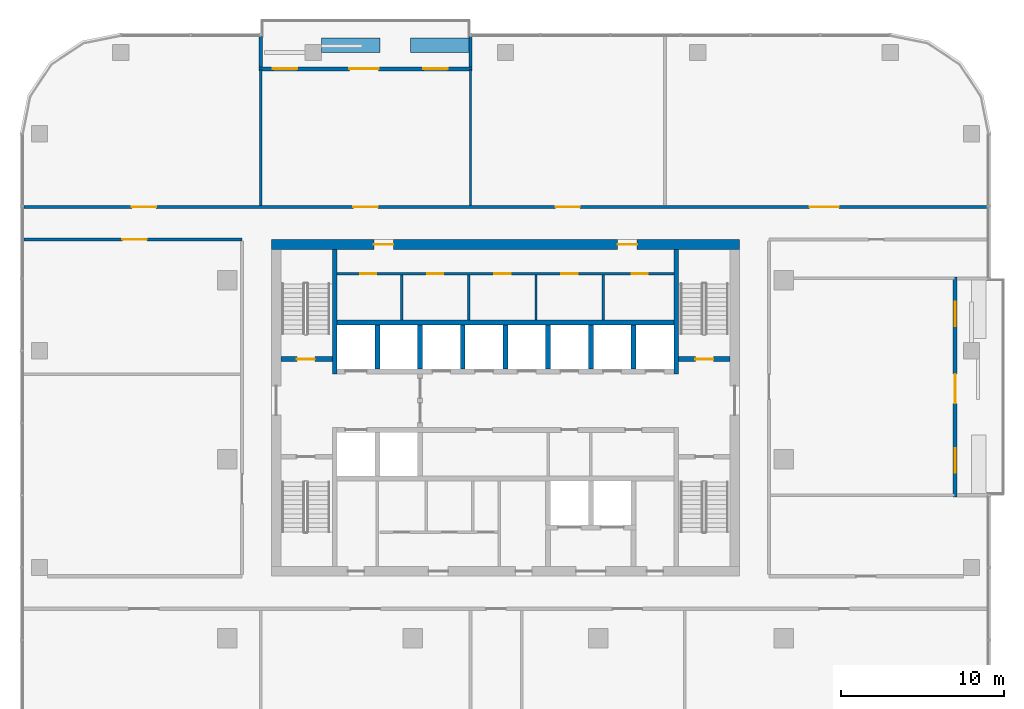
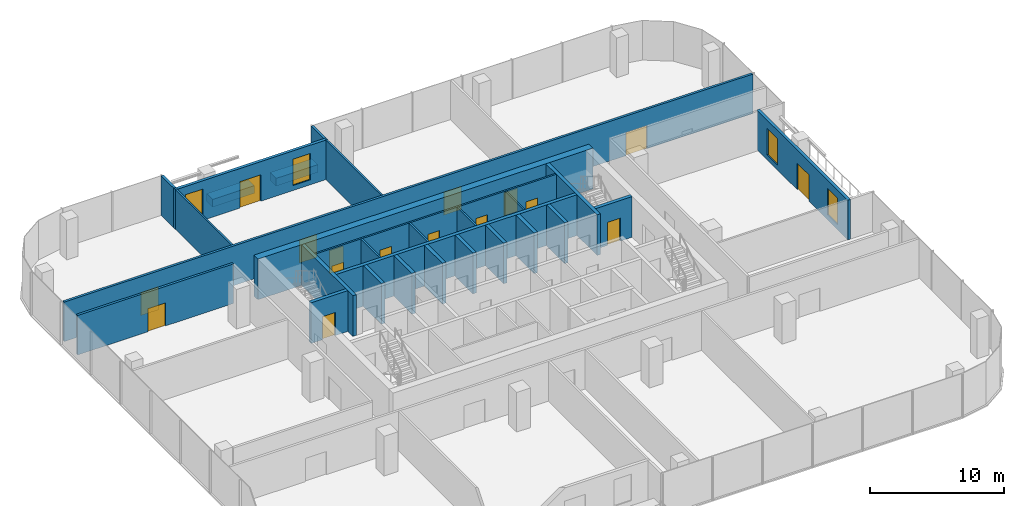
# One storey, part 9 of 13: 28 walls, 16 doors, 4 windows, 20 openings.
"""IFC4 building model written with IfcOpenShell, lengths in metres."""

from ifc_helpers import new_model, si_unit, direction, frame, frame_2d, origin, place, context, subcontext, project, spatial, rectangle, extrude, material, layer, layer_set, type_object, element, fill, save


model = new_model("IFC4")

# Units and contexts
model_context = context("Model", 3, precision=1e-05, world=origin(), true_north=direction((0.0, 1.0)))
body_context = subcontext(model_context, "Body", "Model", "MODEL_VIEW")
ifc_project = project(units=[si_unit("LENGTHUNIT", "METRE"), si_unit("AREAUNIT", "SQUARE_METRE"), si_unit("VOLUMEUNIT", "CUBIC_METRE"), si_unit("PLANEANGLEUNIT", "RADIAN"), si_unit("MASSUNIT", "GRAM", prefix="KILO")], contexts=[model_context])

# Site, building, storey
site_placement = place(None, origin())
site = spatial("IfcSite", under=ifc_project, at=site_placement, CompositionType="ELEMENT")
building_placement = place(site_placement, origin())
building = spatial("IfcBuilding", under=site, at=building_placement, Name="Mopane Tessera Tower", CompositionType="ELEMENT")
storey_placement = place(building_placement, frame((0.0, 0.0, 299.39990234375)))
storey = spatial("IfcBuildingStorey", under=building, at=storey_placement, Name="L65", CompositionType="ELEMENT", Elevation=299.39990234375)

# Walls
ifc_material_1 = material(Name="Fire-rated gypsum board partition")
ifc_layer_1 = layer(ifc_material_1, 0.14990234375)
ifc_layer_set_1 = layer_set([ifc_layer_1], Name="Fire-rated gypsum board partition")
wall_type_1 = type_object("IfcWallType", Name="Core room partition 150 mm", PredefinedType="PARTITIONING", material=ifc_layer_set_1)
for number, where, z_axis, x_axis, name in (
    (1, (-6.375, 8.550048828125, 0.0), (0.0, 0.0, 1.0), (0.0, 1.0, 0.0), "L65 Room partition"),
    (2, (-2.25, 8.550048828125, 0.0), (0.0, 0.0, 1.0), (0.0, 1.0, 0.0), "L65 Room partition"),
    (3, (1.875, 8.550048828125, 0.0), (0.0, 0.0, 1.0), (0.0, 1.0, 0.0), "L65 Room partition"),
    (4, (6.0, 8.550048828125, 0.0), (0.0, 0.0, 1.0), (0.0, 1.0, 0.0), "L65 Room partition"),
):
    element("IfcWall", number, at=place(storey_placement, frame(where, z_axis=z_axis, x_axis=x_axis)), inside=storey, type_object=wall_type_1, Name=name, PredefinedType="PARTITIONING", context=body_context, shape_type="SweptSolid", body=[
        extrude(rectangle(XDim=2.77490234375, YDim=0.14990234375, at=frame_2d((1.387451171875, 0.0))), origin(), (0.0, 0.0, 1.0), 3.7001953125),
    ])

# Wall, openings, doors
wall_1_placement = place(storey_placement, frame((-10.35009765625, 11.39990234375, 0.0), z_axis=(0.0, 0.0, 1.0), x_axis=(1.0, 0.0, 0.0)))
wall_1 = element("IfcWall", 5, at=wall_1_placement, inside=storey, type_object=wall_type_1, Name="L65 Corridor wall", PredefinedType="PARTITIONING", context=body_context, shape_type="SweptSolid", body=[
    extrude(rectangle(XDim=20.7001953125, YDim=0.14990234375, at=frame_2d((10.35009765625, 0.0))), origin(), (0.0, 0.0, 1.0), 3.7001953125),
])
opening_1_placement = place(wall_1_placement, frame((1.41259765625, 0.0, 0.0)))
opening_1 = element("IfcOpeningElement", 6, at=opening_1_placement, cuts=wall_1, Name="Opening RD1", PredefinedType="OPENING", context=body_context, shape_type="SweptSolid", body=[
    extrude(rectangle(XDim=1.0, YDim=2.10009765625, at=frame_2d((0.5, 1.050048828125))), frame((0.0, 0.0869140625, 0.0), z_axis=(0.0, -1.0, 0.0), x_axis=(1.0, 0.0, 0.0)), (0.0, 0.0, 1.0), 0.173828125),
])
opening_2_placement = place(wall_1_placement, frame((5.53759765625, 0.0, 0.0)))
opening_2 = element("IfcOpeningElement", 7, at=opening_2_placement, cuts=wall_1, Name="Opening RD1", PredefinedType="OPENING", context=body_context, shape_type="SweptSolid", body=[
    extrude(rectangle(XDim=1.0, YDim=2.10009765625, at=frame_2d((0.5, 1.050048828125))), frame((0.0, 0.0869140625, 0.0), z_axis=(0.0, -1.0, 0.0), x_axis=(1.0, 0.0, 0.0)), (0.0, 0.0, 1.0), 0.173828125),
])
opening_3_placement = place(wall_1_placement, frame((9.66259765625, 0.0, 0.0)))
opening_3 = element("IfcOpeningElement", 8, at=opening_3_placement, cuts=wall_1, Name="Opening RD1", PredefinedType="OPENING", context=body_context, shape_type="SweptSolid", body=[
    extrude(rectangle(XDim=1.0, YDim=2.10009765625, at=frame_2d((0.5, 1.050048828125))), frame((0.0, 0.0869140625, 0.0), z_axis=(0.0, -1.0, 0.0), x_axis=(1.0, 0.0, 0.0)), (0.0, 0.0, 1.0), 0.173828125),
])
opening_4_placement = place(wall_1_placement, frame((13.78759765625, 0.0, 0.0)))
opening_4 = element("IfcOpeningElement", 9, at=opening_4_placement, cuts=wall_1, Name="Opening RD1", PredefinedType="OPENING", context=body_context, shape_type="SweptSolid", body=[
    extrude(rectangle(XDim=1.0, YDim=2.10009765625, at=frame_2d((0.5, 1.050048828125))), frame((0.0, 0.0869140625, 0.0), z_axis=(0.0, -1.0, 0.0), x_axis=(1.0, 0.0, 0.0)), (0.0, 0.0, 1.0), 0.173828125),
])
opening_5_placement = place(wall_1_placement, frame((18.10009765625, 0.0, 0.0)))
opening_5 = element("IfcOpeningElement", 10, at=opening_5_placement, cuts=wall_1, Name="Opening RD1", PredefinedType="OPENING", context=body_context, shape_type="SweptSolid", body=[
    extrude(rectangle(XDim=1.0, YDim=2.10009765625, at=frame_2d((0.5, 1.050048828125))), frame((0.0, 0.0869140625, 0.0), z_axis=(0.0, -1.0, 0.0), x_axis=(1.0, 0.0, 0.0)), (0.0, 0.0, 1.0), 0.173828125),
])
ifc_material_2 = material(Name="Timber door", Category="wood")
door_type_1 = type_object("IfcDoorType", Name="Core room door 1000 x 2100", OperationType="SINGLE_SWING_LEFT", PredefinedType="DOOR", material=ifc_material_2)
door_1_placement = place(opening_1_placement, origin())
door_1 = element("IfcDoor", 11, at=door_1_placement, inside=storey, type_object=door_type_1, Name="L65 Room door", OperationType="SINGLE_SWING_LEFT", OverallHeight=2.10009765625, OverallWidth=1.0, PredefinedType="DOOR", context=body_context, shape_type="SweptSolid", body=[
    extrude(rectangle(XDim=1.0, YDim=2.10009765625, at=frame_2d((0.5, 1.050048828125))), frame((0.0, 0.02490234375, 0.0), z_axis=(0.0, -1.0, 0.0), x_axis=(1.0, 0.0, 0.0)), (0.0, 0.0, 1.0), 0.050048828125),
])
fill(opening_1, door_1)
door_2_placement = place(opening_2_placement, origin())
door_2 = element("IfcDoor", 12, at=door_2_placement, inside=storey, type_object=door_type_1, Name="L65 Room door", OperationType="SINGLE_SWING_LEFT", OverallHeight=2.10009765625, OverallWidth=1.0, PredefinedType="DOOR", context=body_context, shape_type="SweptSolid", body=[
    extrude(rectangle(XDim=1.0, YDim=2.10009765625, at=frame_2d((0.5, 1.050048828125))), frame((0.0, 0.02490234375, 0.0), z_axis=(0.0, -1.0, 0.0), x_axis=(1.0, 0.0, 0.0)), (0.0, 0.0, 1.0), 0.050048828125),
])
fill(opening_2, door_2)
door_3_placement = place(opening_3_placement, origin())
door_3 = element("IfcDoor", 13, at=door_3_placement, inside=storey, type_object=door_type_1, Name="L65 Room door", OperationType="SINGLE_SWING_LEFT", OverallHeight=2.10009765625, OverallWidth=1.0, PredefinedType="DOOR", context=body_context, shape_type="SweptSolid", body=[
    extrude(rectangle(XDim=1.0, YDim=2.10009765625, at=frame_2d((0.5, 1.050048828125))), frame((0.0, 0.02490234375, 0.0), z_axis=(0.0, -1.0, 0.0), x_axis=(1.0, 0.0, 0.0)), (0.0, 0.0, 1.0), 0.050048828125),
])
fill(opening_3, door_3)
door_4_placement = place(opening_4_placement, origin())
door_4 = element("IfcDoor", 14, at=door_4_placement, inside=storey, type_object=door_type_1, Name="L65 Room door", OperationType="SINGLE_SWING_LEFT", OverallHeight=2.10009765625, OverallWidth=1.0, PredefinedType="DOOR", context=body_context, shape_type="SweptSolid", body=[
    extrude(rectangle(XDim=1.0, YDim=2.10009765625, at=frame_2d((0.5, 1.050048828125))), frame((0.0, 0.02490234375, 0.0), z_axis=(0.0, -1.0, 0.0), x_axis=(1.0, 0.0, 0.0)), (0.0, 0.0, 1.0), 0.050048828125),
])
fill(opening_4, door_4)
door_5_placement = place(opening_5_placement, origin())
door_5 = element("IfcDoor", 15, at=door_5_placement, inside=storey, type_object=door_type_1, Name="L65 Room door", OperationType="SINGLE_SWING_LEFT", OverallHeight=2.10009765625, OverallWidth=1.0, PredefinedType="DOOR", context=body_context, shape_type="SweptSolid", body=[
    extrude(rectangle(XDim=1.0, YDim=2.10009765625, at=frame_2d((0.5, 1.050048828125))), frame((0.0, 0.02490234375, 0.0), z_axis=(0.0, -1.0, 0.0), x_axis=(1.0, 0.0, 0.0)), (0.0, 0.0, 1.0), 0.050048828125),
])
fill(opening_5, door_5)

ifc_material_3 = material(Name="Concrete C70/85", Category="concrete")
ifc_layer_2 = layer(ifc_material_3, 0.60009765625)
ifc_layer_set_2 = layer_set([ifc_layer_2], Name="Concrete C70/85")
wall_type_2 = type_object("IfcWallType", Name="Core shear wall 600 mm", PredefinedType="SHEAR", material=ifc_layer_set_2)
wall_2_placement = place(storey_placement, frame((-14.39990234375, 13.199951171875, 0.0), z_axis=(0.0, 0.0, 1.0), x_axis=(1.0, 0.0, 0.0)))
wall_2 = element("IfcWall", 16, at=wall_2_placement, inside=storey, type_object=wall_type_2, Name="L65 Core wall north", PredefinedType="SHEAR", context=body_context, shape_type="SweptSolid", body=[
    extrude(rectangle(XDim=28.7998046875, YDim=0.60009765625, at=frame_2d((14.39990234375, 0.0))), origin(), (0.0, 0.0, 1.0), 3.7001953125),
])
opening_6_placement = place(wall_2_placement, frame((6.300048828125, 0.0, 0.0)))
opening_6 = element("IfcOpeningElement", 17, at=opening_6_placement, cuts=wall_2, Name="Opening RD2", PredefinedType="OPENING", context=body_context, shape_type="SweptSolid", body=[
    extrude(rectangle(XDim=1.199951171875, YDim=2.10009765625, at=frame_2d((0.60009765625, 1.050048828125))), frame((0.0, 0.31201171875, 0.0), z_axis=(0.0, -1.0, 0.0), x_axis=(1.0, 0.0, 0.0)), (0.0, 0.0, 1.0), 0.6240234375),
])
opening_7_placement = place(wall_2_placement, frame((21.300048828125, 0.0, 0.0)))
opening_7 = element("IfcOpeningElement", 18, at=opening_7_placement, cuts=wall_2, Name="Opening RD2", PredefinedType="OPENING", context=body_context, shape_type="SweptSolid", body=[
    extrude(rectangle(XDim=1.199951171875, YDim=2.10009765625, at=frame_2d((0.60009765625, 1.050048828125))), frame((0.0, 0.31201171875, 0.0), z_axis=(0.0, -1.0, 0.0), x_axis=(1.0, 0.0, 0.0)), (0.0, 0.0, 1.0), 0.6240234375),
])
ifc_material_4 = material(Name="Timber door", Category="wood")
door_type_2 = type_object("IfcDoorType", Name="Core corridor door 1200 x 2100", OperationType="SINGLE_SWING_LEFT", PredefinedType="DOOR", material=ifc_material_4)
door_6_placement = place(opening_6_placement, origin())
door_6 = element("IfcDoor", 19, at=door_6_placement, inside=storey, type_object=door_type_2, Name="L65 Corridor door", OperationType="SINGLE_SWING_LEFT", OverallHeight=2.10009765625, OverallWidth=1.199951171875, PredefinedType="DOOR", context=body_context, shape_type="SweptSolid", body=[
    extrude(rectangle(XDim=1.199951171875, YDim=2.10009765625, at=frame_2d((0.60009765625, 1.050048828125))), frame((0.0, 0.02490234375, 0.0), z_axis=(0.0, -1.0, 0.0), x_axis=(1.0, 0.0, 0.0)), (0.0, 0.0, 1.0), 0.050048828125),
])
fill(opening_6, door_6)
door_7_placement = place(opening_7_placement, origin())
door_7 = element("IfcDoor", 20, at=door_7_placement, inside=storey, type_object=door_type_2, Name="L65 Corridor door", OperationType="SINGLE_SWING_RIGHT", OverallHeight=2.10009765625, OverallWidth=1.199951171875, PredefinedType="DOOR", context=body_context, shape_type="SweptSolid", body=[
    extrude(rectangle(XDim=1.199951171875, YDim=2.10009765625, at=frame_2d((0.60009765625, 1.050048828125))), frame((0.0, 0.02490234375, 0.0), z_axis=(0.0, -1.0, 0.0), x_axis=(1.0, 0.0, 0.0)), (0.0, 0.0, 1.0), 0.050048828125),
])
fill(opening_7, door_7)

# Walls
ifc_material_5 = material(Name="Concrete C60/75", Category="concrete")
ifc_layer_3 = layer(ifc_material_5, 0.300048828125)
ifc_layer_set_3 = layer_set([ifc_layer_3], Name="Concrete C60/75")
wall_type_3 = type_object("IfcWallType", Name="Core spine wall 300 mm", PredefinedType="SHEAR", material=ifc_layer_set_3)
for number, where, z_axis, x_axis, name in (
    (21, (-10.5, 5.25, 0.0), (0.0, 0.0, 1.0), (0.0, 1.0, 0.0), "L65 Core spine wall"),
    (22, (10.5, 5.25, 0.0), (0.0, 0.0, 1.0), (0.0, 1.0, 0.0), "L65 Core spine wall"),
):
    element("IfcWall", number, at=place(storey_placement, frame(where, z_axis=z_axis, x_axis=x_axis)), inside=storey, type_object=wall_type_3, Name=name, PredefinedType="SHEAR", context=body_context, shape_type="SweptSolid", body=[
        extrude(rectangle(XDim=7.64990234375, YDim=0.300048828125, at=frame_2d((3.824951171875, 0.0))), origin(), (0.0, 0.0, 1.0), 3.7001953125),
    ])

# Wall, opening, door
ifc_material_6 = material(Name="Gypsum board on steel studs, two layers each face, mineral wool infill", Category="steel")
ifc_layer_4 = layer(ifc_material_6, 0.199951171875)
ifc_layer_set_4 = layer_set([ifc_layer_4], Name="Gypsum board on steel studs, two layers each face, mineral wool infill")
wall_type_4 = type_object("IfcWallType", Name="Gypsum board corridor wall 200, rated EI 60", PredefinedType="PARTITIONING", material=ifc_layer_set_4)
wall_3_placement = place(storey_placement, frame((-29.60009765625, 13.5, 0.0), z_axis=(0.0, 0.0, 1.0), x_axis=(1.0, 0.0, 0.0)))
wall_3 = element("IfcWall", 23, at=wall_3_placement, inside=storey, type_object=wall_type_4, Name="Partition L65:006", PredefinedType="PARTITIONING", context=body_context, shape_type="SweptSolid", body=[
    extrude(rectangle(XDim=13.400146484375, YDim=0.199951171875, at=frame_2d((6.7001953125, 0.0))), origin(), (0.0, 0.0, 1.0), 3.60009765625),
])
opening_8_placement = place(wall_3_placement, frame((6.050048828125, 0.0, 0.0)))
opening_8 = element("IfcOpeningElement", 24, at=opening_8_placement, cuts=wall_3, Name="Opening L65-05", PredefinedType="OPENING", context=body_context, shape_type="SweptSolid", body=[
    extrude(rectangle(XDim=1.5, YDim=2.10009765625, at=frame_2d((0.75, 1.050048828125))), frame((0.0, 0.112060546875, 0.0), z_axis=(0.0, -1.0, 0.0), x_axis=(1.0, 0.0, 0.0)), (0.0, 0.0, 1.0), 0.223876953125),
])
ifc_material_7 = material(Name="Timber veneered steel-framed fire door", Category="steel")
door_type_3 = type_object("IfcDoorType", Name="Fire door pair FD60 1500 x 2100", OperationType="DOUBLE_DOOR_SINGLE_SWING", PredefinedType="DOOR", material=ifc_material_7)
door_8_placement = place(opening_8_placement, origin())
door_8 = element("IfcDoor", 25, at=door_8_placement, inside=storey, type_object=door_type_3, Name="Door L65-05", ObjectType="D17A", OperationType="DOUBLE_DOOR_SINGLE_SWING", OverallHeight=2.10009765625, OverallWidth=1.5, PredefinedType="DOOR", context=body_context, shape_type="SweptSolid", body=[
    extrude(rectangle(XDim=1.5, YDim=2.10009765625, at=frame_2d((0.75, 1.050048828125))), frame((0.0, 0.02490234375, 0.0), z_axis=(0.0, -1.0, 0.0), x_axis=(1.0, 0.0, 0.0)), (0.0, 0.0, 1.0), 0.050048828125),
])
fill(opening_8, door_8)

# Wall, openings, doors
wall_4_placement = place(storey_placement, frame((-29.60009765625, 15.5, 0.0), z_axis=(0.0, 0.0, 1.0), x_axis=(1.0, 0.0, 0.0)))
wall_4 = element("IfcWall", 26, at=wall_4_placement, inside=storey, type_object=wall_type_4, Name="Partition L65:008", PredefinedType="PARTITIONING", context=body_context, shape_type="SweptSolid", body=[
    extrude(rectangle(XDim=59.2001953125, YDim=0.199951171875, at=frame_2d((29.60009765625, 0.0))), origin(), (0.0, 0.0, 1.0), 3.60009765625),
])
opening_9_placement = place(wall_4_placement, frame((48.300048828125, 0.0, 0.0)))
opening_9 = element("IfcOpeningElement", 27, at=opening_9_placement, cuts=wall_4, Name="Opening L65-01", PredefinedType="OPENING", context=body_context, shape_type="SweptSolid", body=[
    extrude(rectangle(XDim=1.800048828125, YDim=2.10009765625, at=frame_2d((0.89990234375, 1.050048828125))), frame((0.0, 0.112060546875, 0.0), z_axis=(0.0, -1.0, 0.0), x_axis=(1.0, 0.0, 0.0)), (0.0, 0.0, 1.0), 0.223876953125),
])
opening_10_placement = place(wall_4_placement, frame((32.675048828125, 0.0, 0.0)))
opening_10 = element("IfcOpeningElement", 28, at=opening_10_placement, cuts=wall_4, Name="Opening L65-02", PredefinedType="OPENING", context=body_context, shape_type="SweptSolid", body=[
    extrude(rectangle(XDim=1.5, YDim=2.10009765625, at=frame_2d((0.75, 1.050048828125))), frame((0.0, 0.112060546875, 0.0), z_axis=(0.0, -1.0, 0.0), x_axis=(1.0, 0.0, 0.0)), (0.0, 0.0, 1.0), 0.223876953125),
])
opening_11_placement = place(wall_4_placement, frame((6.625, 0.0, 0.0)))
opening_11 = element("IfcOpeningElement", 29, at=opening_11_placement, cuts=wall_4, Name="Opening L65-06", PredefinedType="OPENING", context=body_context, shape_type="SweptSolid", body=[
    extrude(rectangle(XDim=1.5, YDim=2.10009765625, at=frame_2d((0.75, 1.050048828125))), frame((0.0, 0.112060546875, 0.0), z_axis=(0.0, -1.0, 0.0), x_axis=(1.0, 0.0, 0.0)), (0.0, 0.0, 1.0), 0.223876953125),
])
opening_12_placement = place(wall_4_placement, frame((20.25, 0.0, 0.0)))
opening_12 = element("IfcOpeningElement", 30, at=opening_12_placement, cuts=wall_4, Name="Opening L65-10", PredefinedType="OPENING", context=body_context, shape_type="SweptSolid", body=[
    extrude(rectangle(XDim=1.5, YDim=2.10009765625, at=frame_2d((0.75, 1.050048828125))), frame((0.0, 0.112060546875, 0.0), z_axis=(0.0, -1.0, 0.0), x_axis=(1.0, 0.0, 0.0)), (0.0, 0.0, 1.0), 0.223876953125),
])
door_9_placement = place(opening_10_placement, origin())
door_9 = element("IfcDoor", 31, at=door_9_placement, inside=storey, type_object=door_type_3, Name="Door L65-02", ObjectType="D17A", OperationType="DOUBLE_DOOR_SINGLE_SWING", OverallHeight=2.10009765625, OverallWidth=1.5, PredefinedType="DOOR", context=body_context, shape_type="SweptSolid", body=[
    extrude(rectangle(XDim=1.5, YDim=2.10009765625, at=frame_2d((0.75, 1.050048828125))), frame((0.0, 0.02490234375, 0.0), z_axis=(0.0, -1.0, 0.0), x_axis=(1.0, 0.0, 0.0)), (0.0, 0.0, 1.0), 0.050048828125),
])
fill(opening_10, door_9)
door_10_placement = place(opening_11_placement, origin())
door_10 = element("IfcDoor", 32, at=door_10_placement, inside=storey, type_object=door_type_3, Name="Door L65-06", ObjectType="D17A", OperationType="DOUBLE_DOOR_SINGLE_SWING", OverallHeight=2.10009765625, OverallWidth=1.5, PredefinedType="DOOR", context=body_context, shape_type="SweptSolid", body=[
    extrude(rectangle(XDim=1.5, YDim=2.10009765625, at=frame_2d((0.75, 1.050048828125))), frame((0.0, 0.02490234375, 0.0), z_axis=(0.0, -1.0, 0.0), x_axis=(1.0, 0.0, 0.0)), (0.0, 0.0, 1.0), 0.050048828125),
])
fill(opening_11, door_10)
door_11_placement = place(opening_12_placement, origin())
door_11 = element("IfcDoor", 33, at=door_11_placement, inside=storey, type_object=door_type_3, Name="Door L65-10", ObjectType="D17A", OperationType="DOUBLE_DOOR_SINGLE_SWING", OverallHeight=2.10009765625, OverallWidth=1.5, PredefinedType="DOOR", context=body_context, shape_type="SweptSolid", body=[
    extrude(rectangle(XDim=1.5, YDim=2.10009765625, at=frame_2d((0.75, 1.050048828125))), frame((0.0, 0.02490234375, 0.0), z_axis=(0.0, -1.0, 0.0), x_axis=(1.0, 0.0, 0.0)), (0.0, 0.0, 1.0), 0.050048828125),
])
fill(opening_12, door_11)
ifc_material_8 = material(Name="Timber veneered steel-framed fire door", Category="steel")
door_type_4 = type_object("IfcDoorType", Name="Fire door pair FD60 1800 x 2100", OperationType="DOUBLE_DOOR_SINGLE_SWING", PredefinedType="DOOR", material=ifc_material_8)
door_12_placement = place(opening_9_placement, origin())
door_12 = element("IfcDoor", 34, at=door_12_placement, inside=storey, type_object=door_type_4, Name="Door L65-01", ObjectType="D20A", OperationType="DOUBLE_DOOR_SINGLE_SWING", OverallHeight=2.10009765625, OverallWidth=1.800048828125, PredefinedType="DOOR", context=body_context, shape_type="SweptSolid", body=[
    extrude(rectangle(XDim=1.800048828125, YDim=2.10009765625, at=frame_2d((0.89990234375, 1.050048828125))), frame((0.0, 0.02490234375, 0.0), z_axis=(0.0, -1.0, 0.0), x_axis=(1.0, 0.0, 0.0)), (0.0, 0.0, 1.0), 0.050048828125),
])
fill(opening_9, door_12)

# Walls
ifc_material_9 = material(Name="Gypsum board on steel studs, mineral wool infill", Category="steel")
ifc_layer_5 = layer(ifc_material_9, 0.14990234375)
ifc_layer_set_5 = layer_set([ifc_layer_5], Name="Gypsum board on steel studs, mineral wool infill")
wall_type_5 = type_object("IfcWallType", Name="Gypsum board partition 150, rated EI 60", PredefinedType="PARTITIONING", material=ifc_layer_set_5)
for number, where, z_axis, x_axis, name in (
    (35, (-15.050048828125, 15.60009765625, 0.0), (0.0, 0.0, 1.0), (0.0, 1.0, 0.0), "Partition L65:010"),
    (36, (-2.14990234375, 15.60009765625, 0.0), (0.0, 0.0, 1.0), (0.0, 1.0, 0.0), "Partition L65:012"),
):
    element("IfcWall", number, at=place(storey_placement, frame(where, z_axis=z_axis, x_axis=x_axis)), inside=storey, type_object=wall_type_5, Name=name, PredefinedType="PARTITIONING", context=body_context, shape_type="SweptSolid", body=[
        extrude(rectangle(XDim=8.349853515625, YDim=0.14990234375, at=frame_2d((4.1748046875, 0.0))), origin(), (0.0, 0.0, 1.0), 3.60009765625),
    ])

# Wall, opening, door
ifc_material_10 = material(Name="Concrete C50/60", Category="concrete")
ifc_layer_6 = layer(ifc_material_10, 0.300048828125)
ifc_layer_set_6 = layer_set([ifc_layer_6], Name="Concrete C50/60")
wall_type_6 = type_object("IfcWallType", Name="Lift and stair shaft wall 300 mm", PredefinedType="SOLIDWALL", material=ifc_layer_set_6)
wall_5_placement = place(storey_placement, frame((-13.800048828125, 6.14990234375, 0.0), z_axis=(0.0, 0.0, 1.0), x_axis=(1.0, 0.0, 0.0)))
wall_5 = element("IfcWall", 37, at=wall_5_placement, inside=storey, type_object=wall_type_6, Name="L65 Stair enclosure wall", PredefinedType="SOLIDWALL", context=body_context, shape_type="SweptSolid", body=[
    extrude(rectangle(XDim=3.150146484375, YDim=0.300048828125, at=frame_2d((1.5751953125, 0.0))), origin(), (0.0, 0.0, 1.0), 3.7001953125),
])
opening_13_placement = place(wall_5_placement, frame((0.97509765625, 0.0, 0.0)))
opening_13 = element("IfcOpeningElement", 38, at=opening_13_placement, cuts=wall_5, Name="Opening SD1", PredefinedType="OPENING", context=body_context, shape_type="SweptSolid", body=[
    extrude(rectangle(XDim=1.10009765625, YDim=2.10009765625, at=frame_2d((0.550048828125, 1.050048828125))), frame((0.0, 0.162109375, 0.0), z_axis=(0.0, -1.0, 0.0), x_axis=(1.0, 0.0, 0.0)), (0.0, 0.0, 1.0), 0.323974609375),
])
ifc_material_11 = material(Name="Steel fire door", Category="steel")
door_type_5 = type_object("IfcDoorType", Name="Stair fire door 1100 x 2100", OperationType="SINGLE_SWING_LEFT", PredefinedType="DOOR", material=ifc_material_11)
door_13_placement = place(opening_13_placement, origin())
door_13 = element("IfcDoor", 39, at=door_13_placement, inside=storey, type_object=door_type_5, Name="L65 Stair door ST2", OperationType="SINGLE_SWING_LEFT", OverallHeight=2.10009765625, OverallWidth=1.10009765625, PredefinedType="DOOR", context=body_context, shape_type="SweptSolid", body=[
    extrude(rectangle(XDim=1.10009765625, YDim=2.10009765625, at=frame_2d((0.550048828125, 1.050048828125))), frame((0.0, 0.02490234375, 0.0), z_axis=(0.0, -1.0, 0.0), x_axis=(1.0, 0.0, 0.0)), (0.0, 0.0, 1.0), 0.050048828125),
])
fill(opening_13, door_13)

wall_6_placement = place(storey_placement, frame((10.64990234375, 6.14990234375, 0.0), z_axis=(0.0, 0.0, 1.0), x_axis=(1.0, 0.0, 0.0)))
wall_6 = element("IfcWall", 40, at=wall_6_placement, inside=storey, type_object=wall_type_6, Name="L65 Stair enclosure wall", PredefinedType="SOLIDWALL", context=body_context, shape_type="SweptSolid", body=[
    extrude(rectangle(XDim=3.150146484375, YDim=0.300048828125, at=frame_2d((1.5751953125, 0.0))), origin(), (0.0, 0.0, 1.0), 3.7001953125),
])
opening_14_placement = place(wall_6_placement, frame((1.02490234375, 0.0, 0.0)))
opening_14 = element("IfcOpeningElement", 41, at=opening_14_placement, cuts=wall_6, Name="Opening SD1", PredefinedType="OPENING", context=body_context, shape_type="SweptSolid", body=[
    extrude(rectangle(XDim=1.10009765625, YDim=2.10009765625, at=frame_2d((0.550048828125, 1.050048828125))), frame((0.0, 0.162109375, 0.0), z_axis=(0.0, -1.0, 0.0), x_axis=(1.0, 0.0, 0.0)), (0.0, 0.0, 1.0), 0.323974609375),
])
door_14_placement = place(opening_14_placement, origin())
door_14 = element("IfcDoor", 42, at=door_14_placement, inside=storey, type_object=door_type_5, Name="L65 Stair door ST4", OperationType="SINGLE_SWING_RIGHT", OverallHeight=2.10009765625, OverallWidth=1.10009765625, PredefinedType="DOOR", context=body_context, shape_type="SweptSolid", body=[
    extrude(rectangle(XDim=1.10009765625, YDim=2.10009765625, at=frame_2d((0.550048828125, 1.050048828125))), frame((0.0, 0.02490234375, 0.0), z_axis=(0.0, -1.0, 0.0), x_axis=(1.0, 0.0, 0.0)), (0.0, 0.0, 1.0), 0.050048828125),
])
fill(opening_14, door_14)

# Walls
wall_7_placement = place(storey_placement, frame((-10.35009765625, 8.39990234375, 0.0), z_axis=(0.0, 0.0, 1.0), x_axis=(1.0, 0.0, 0.0)))
element("IfcWall", 43, at=wall_7_placement, inside=storey, type_object=wall_type_6, Name="L65 Lift shaft rear wall", PredefinedType="SOLIDWALL", context=body_context, shape_type="SweptSolid", body=[
    extrude(rectangle(XDim=20.7001953125, YDim=0.300048828125, at=frame_2d((10.35009765625, 0.0))), origin(), (0.0, 0.0, 1.0), 3.7001953125),
])
for number, where, z_axis, x_axis, name in (
    (44, (-7.875, 5.550048828125, 0.0), (0.0, 0.0, 1.0), (0.0, 1.0, 0.0), "L65 Lift shaft wall"),
    (45, (-5.25, 5.550048828125, 0.0), (0.0, 0.0, 1.0), (0.0, 1.0, 0.0), "L65 Lift shaft wall"),
    (46, (-2.625, 5.550048828125, 0.0), (0.0, 0.0, 1.0), (0.0, 1.0, 0.0), "L65 Lift shaft wall"),
    (47, (0.0, 5.550048828125, 0.0), (0.0, 0.0, 1.0), (0.0, 1.0, 0.0), "L65 Lift shaft wall"),
    (48, (2.625, 5.550048828125, 0.0), (0.0, 0.0, 1.0), (0.0, 1.0, 0.0), "L65 Lift shaft wall"),
    (49, (5.25, 5.550048828125, 0.0), (0.0, 0.0, 1.0), (0.0, 1.0, 0.0), "L65 Lift shaft wall"),
    (50, (7.875, 5.550048828125, 0.0), (0.0, 0.0, 1.0), (0.0, 1.0, 0.0), "L65 Lift shaft wall"),
):
    element("IfcWall", number, at=place(storey_placement, frame(where, z_axis=z_axis, x_axis=x_axis)), inside=storey, type_object=wall_type_6, Name=name, PredefinedType="SOLIDWALL", context=body_context, shape_type="SweptSolid", body=[
        extrude(rectangle(XDim=2.699951171875, YDim=0.300048828125, at=frame_2d((1.35009765625, 0.0))), origin(), (0.0, 0.0, 1.0), 3.7001953125),
    ])
ifc_material_12 = material(Name="Reinforced concrete C32/40 with waterproofing", Category="concrete")
ifc_layer_7 = layer(ifc_material_12, 0.89990234375)
ifc_layer_set_7 = layer_set([ifc_layer_7], Name="Reinforced concrete C32/40 with waterproofing")
wall_type_7 = type_object("IfcWallType", Name="Planter trough 3600 x 900", PredefinedType="STANDARD", material=ifc_layer_set_7)
for number, where, z_axis, x_axis, name in (
    (51, (-2.25, 25.449951171875, 0.0), (0.0, 0.0, 1.0), (-1.0, 0.0, 0.0), "e:nw:L65:N2:pl0"),
    (52, (-7.704833984375, 25.449951171875, 0.0), (0.0, 0.0, 1.0), (-1.0, 0.0, 0.0), "e:nw:L65:N2:pl1"),
):
    element("IfcWall", number, at=place(storey_placement, frame(where, z_axis=z_axis, x_axis=x_axis)), inside=storey, type_object=wall_type_7, Name=name, PredefinedType="STANDARD", context=body_context, shape_type="SweptSolid", body=[
        extrude(rectangle(XDim=3.60009765625, YDim=0.89990234375, at=frame_2d((1.800048828125, 0.0))), origin(), (0.0, 0.0, 1.0), 0.7001953125),
    ])
ifc_material_13 = material(Name="Blockwork with glazed tile facing", Category="masonry")
ifc_layer_8 = layer(ifc_material_13, 0.199951171875)
ifc_layer_set_8 = layer_set([ifc_layer_8], Name="Blockwork with glazed tile facing")
wall_type_8 = type_object("IfcWallType", Name="Terrace cheek wall 200", PredefinedType="STANDARD", material=ifc_layer_set_8)
for number, where, z_axis, x_axis, name in (
    (53, (-2.14990234375, 26.0, 0.0), (0.0, 0.0, 1.0), (0.0, -1.0, 0.0), "e:nw:L65:N2:cheeka"),
    (54, (-15.050048828125, 26.0, 0.0), (0.0, 0.0, 1.0), (0.0, -1.0, 0.0), "e:nw:L65:N2:cheekb"),
):
    element("IfcWall", number, at=place(storey_placement, frame(where, z_axis=z_axis, x_axis=x_axis)), inside=storey, type_object=wall_type_8, Name=name, PredefinedType="STANDARD", context=body_context, shape_type="SweptSolid", body=[
        extrude(rectangle(XDim=1.875, YDim=0.199951171875, at=frame_2d((0.9375, 0.0))), origin(), (0.0, 0.0, 1.0), 3.60009765625),
    ])

# Wall, openings, windows, door
ifc_material_14 = material(Name="Blockwork with ultramarine glazed tile facing", Category="masonry")
ifc_layer_9 = layer(ifc_material_14, 0.25)
ifc_layer_set_9 = layer_set([ifc_layer_9], Name="Blockwork with ultramarine glazed tile facing")
wall_type_9 = type_object("IfcWallType", Name="Tile-clad external wall 250, ultramarine", PredefinedType="STANDARD", material=ifc_layer_set_9)
wall_8_placement = place(storey_placement, frame((27.64990234375, -2.322265625, 0.0), z_axis=(0.0, 0.0, 1.0), x_axis=(0.0, 1.0, 0.0)))
wall_8 = element("IfcWall", 55, at=wall_8_placement, inside=storey, type_object=wall_type_9, Name="e:nw:L65:N1:back", PredefinedType="STANDARD", context=body_context, shape_type="SweptSolid", body=[
    extrude(rectangle(XDim=13.533447265625, YDim=0.25, at=frame_2d((6.7666015625, 0.0))), origin(), (0.0, 0.0, 1.0), 3.60009765625),
])
opening_15_placement = place(wall_8_placement, frame((1.5, 0.0, 0.449951171875)))
opening_15 = element("IfcOpeningElement", 56, at=opening_15_placement, cuts=wall_8, Name="Opening NW651A", PredefinedType="OPENING", context=body_context, shape_type="SweptSolid", body=[
    extrude(rectangle(XDim=1.5, YDim=2.39990234375, at=frame_2d((0.75, 1.199951171875))), frame((0.0, 0.136962890625, 0.0), z_axis=(0.0, -1.0, 0.0), x_axis=(1.0, 0.0, 0.0)), (0.0, 0.0, 1.0), 0.27392578125),
])
opening_16_placement = place(wall_8_placement, frame((5.75, 0.0, 0.0)))
opening_16 = element("IfcOpeningElement", 57, at=opening_16_placement, cuts=wall_8, Name="Opening ND651", PredefinedType="OPENING", context=body_context, shape_type="SweptSolid", body=[
    extrude(rectangle(XDim=1.800048828125, YDim=2.39990234375, at=frame_2d((0.89990234375, 1.199951171875))), frame((0.0, 0.136962890625, 0.0), z_axis=(0.0, -1.0, 0.0), x_axis=(1.0, 0.0, 0.0)), (0.0, 0.0, 1.0), 0.27392578125),
])
opening_17_placement = place(wall_8_placement, frame((10.5, 0.0, 0.449951171875)))
opening_17 = element("IfcOpeningElement", 58, at=opening_17_placement, cuts=wall_8, Name="Opening NW651B", PredefinedType="OPENING", context=body_context, shape_type="SweptSolid", body=[
    extrude(rectangle(XDim=1.5, YDim=2.39990234375, at=frame_2d((0.75, 1.199951171875))), frame((0.0, 0.136962890625, 0.0), z_axis=(0.0, -1.0, 0.0), x_axis=(1.0, 0.0, 0.0)), (0.0, 0.0, 1.0), 0.27392578125),
])
ifc_material_15 = material(Name="Clear laminated glass", Category="glass")
window_type = type_object("IfcWindowType", Name="Fixed window 1500 x 2400", PartitioningType="SINGLE_PANEL", PredefinedType="WINDOW", material=ifc_material_15)
window_1_placement = place(opening_15_placement, origin())
window_1 = element("IfcWindow", 59, at=window_1_placement, inside=storey, type_object=window_type, Name="e:nw:L65:N1:win0", OverallHeight=2.39990234375, OverallWidth=1.5, PartitioningType="SINGLE_PANEL", PredefinedType="WINDOW", context=body_context, shape_type="SweptSolid", body=[
    extrude(rectangle(XDim=1.5, YDim=2.39990234375, at=frame_2d((0.75, 1.199951171875))), frame((0.0, 0.030029296875, 0.0), z_axis=(0.0, -1.0, 0.0), x_axis=(1.0, 0.0, 0.0)), (0.0, 0.0, 1.0), 0.06005859375),
])
fill(opening_15, window_1)
window_2_placement = place(opening_17_placement, origin())
window_2 = element("IfcWindow", 60, at=window_2_placement, inside=storey, type_object=window_type, Name="e:nw:L65:N1:win2", OverallHeight=2.39990234375, OverallWidth=1.5, PartitioningType="SINGLE_PANEL", PredefinedType="WINDOW", context=body_context, shape_type="SweptSolid", body=[
    extrude(rectangle(XDim=1.5, YDim=2.39990234375, at=frame_2d((0.75, 1.199951171875))), frame((0.0, 0.030029296875, 0.0), z_axis=(0.0, -1.0, 0.0), x_axis=(1.0, 0.0, 0.0)), (0.0, 0.0, 1.0), 0.06005859375),
])
fill(opening_17, window_2)
ifc_material_16 = material(Name="Aluminium and clear glass", Category="aluminium")
door_type_6 = type_object("IfcDoorType", Name="Terrace double door 1800 x 2400", OperationType="DOUBLE_DOOR_SINGLE_SWING", PredefinedType="DOOR", material=ifc_material_16)
door_15_placement = place(opening_16_placement, origin())
door_15 = element("IfcDoor", 61, at=door_15_placement, inside=storey, type_object=door_type_6, Name="e:nw:L65:N1:door", ObjectType="D1", OperationType="DOUBLE_DOOR_SINGLE_SWING", OverallHeight=2.39990234375, OverallWidth=1.800048828125, PredefinedType="DOOR", context=body_context, shape_type="SweptSolid", body=[
    extrude(rectangle(XDim=1.800048828125, YDim=2.39990234375, at=frame_2d((0.89990234375, 1.199951171875))), frame((0.0, 0.02490234375, 0.0), z_axis=(0.0, -1.0, 0.0), x_axis=(1.0, 0.0, 0.0)), (0.0, 0.0, 1.0), 0.050048828125),
])
fill(opening_16, door_15)

wall_9_placement = place(storey_placement, frame((-2.050048828125, 24.0, 0.0), z_axis=(0.0, 0.0, 1.0), x_axis=(-1.0, 0.0, 0.0)))
wall_9 = element("IfcWall", 62, at=wall_9_placement, inside=storey, type_object=wall_type_9, Name="e:nw:L65:N2:back", PredefinedType="STANDARD", context=body_context, shape_type="SweptSolid", body=[
    extrude(rectangle(XDim=13.099853515625, YDim=0.25, at=frame_2d((6.5498046875, 0.0))), origin(), (0.0, 0.0, 1.0), 3.60009765625),
])
opening_18_placement = place(wall_9_placement, frame((1.5, 0.0, 0.449951171875)))
opening_18 = element("IfcOpeningElement", 63, at=opening_18_placement, cuts=wall_9, Name="Opening NW652A", PredefinedType="OPENING", context=body_context, shape_type="SweptSolid", body=[
    extrude(rectangle(XDim=1.5, YDim=2.39990234375, at=frame_2d((0.75, 1.199951171875))), frame((0.0, 0.136962890625, 0.0), z_axis=(0.0, -1.0, 0.0), x_axis=(1.0, 0.0, 0.0)), (0.0, 0.0, 1.0), 0.27392578125),
])
opening_19_placement = place(wall_9_placement, frame((5.75, 0.0, 0.0)))
opening_19 = element("IfcOpeningElement", 64, at=opening_19_placement, cuts=wall_9, Name="Opening ND652", PredefinedType="OPENING", context=body_context, shape_type="SweptSolid", body=[
    extrude(rectangle(XDim=1.800048828125, YDim=2.39990234375, at=frame_2d((0.89990234375, 1.199951171875))), frame((0.0, 0.136962890625, 0.0), z_axis=(0.0, -1.0, 0.0), x_axis=(1.0, 0.0, 0.0)), (0.0, 0.0, 1.0), 0.27392578125),
])
opening_20_placement = place(wall_9_placement, frame((10.75, 0.0, 0.449951171875)))
opening_20 = element("IfcOpeningElement", 65, at=opening_20_placement, cuts=wall_9, Name="Opening NW652B", PredefinedType="OPENING", context=body_context, shape_type="SweptSolid", body=[
    extrude(rectangle(XDim=1.5, YDim=2.39990234375, at=frame_2d((0.75, 1.199951171875))), frame((0.0, 0.136962890625, 0.0), z_axis=(0.0, -1.0, 0.0), x_axis=(1.0, 0.0, 0.0)), (0.0, 0.0, 1.0), 0.27392578125),
])
window_3_placement = place(opening_18_placement, origin())
window_3 = element("IfcWindow", 66, at=window_3_placement, inside=storey, type_object=window_type, Name="e:nw:L65:N2:win0", OverallHeight=2.39990234375, OverallWidth=1.5, PartitioningType="SINGLE_PANEL", PredefinedType="WINDOW", context=body_context, shape_type="SweptSolid", body=[
    extrude(rectangle(XDim=1.5, YDim=2.39990234375, at=frame_2d((0.75, 1.199951171875))), frame((0.0, 0.030029296875, 0.0), z_axis=(0.0, -1.0, 0.0), x_axis=(1.0, 0.0, 0.0)), (0.0, 0.0, 1.0), 0.06005859375),
])
fill(opening_18, window_3)
window_4_placement = place(opening_20_placement, origin())
window_4 = element("IfcWindow", 67, at=window_4_placement, inside=storey, type_object=window_type, Name="e:nw:L65:N2:win2", OverallHeight=2.39990234375, OverallWidth=1.5, PartitioningType="SINGLE_PANEL", PredefinedType="WINDOW", context=body_context, shape_type="SweptSolid", body=[
    extrude(rectangle(XDim=1.5, YDim=2.39990234375, at=frame_2d((0.75, 1.199951171875))), frame((0.0, 0.030029296875, 0.0), z_axis=(0.0, -1.0, 0.0), x_axis=(1.0, 0.0, 0.0)), (0.0, 0.0, 1.0), 0.06005859375),
])
fill(opening_20, window_4)
door_16_placement = place(opening_19_placement, origin())
door_16 = element("IfcDoor", 68, at=door_16_placement, inside=storey, type_object=door_type_6, Name="e:nw:L65:N2:door", ObjectType="D1", OperationType="DOUBLE_DOOR_SINGLE_SWING", OverallHeight=2.39990234375, OverallWidth=1.800048828125, PredefinedType="DOOR", context=body_context, shape_type="SweptSolid", body=[
    extrude(rectangle(XDim=1.800048828125, YDim=2.39990234375, at=frame_2d((0.89990234375, 1.199951171875))), frame((0.0, 0.02490234375, 0.0), z_axis=(0.0, -1.0, 0.0), x_axis=(1.0, 0.0, 0.0)), (0.0, 0.0, 1.0), 0.050048828125),
])
fill(opening_19, door_16)

save(model, "model.ifc")
